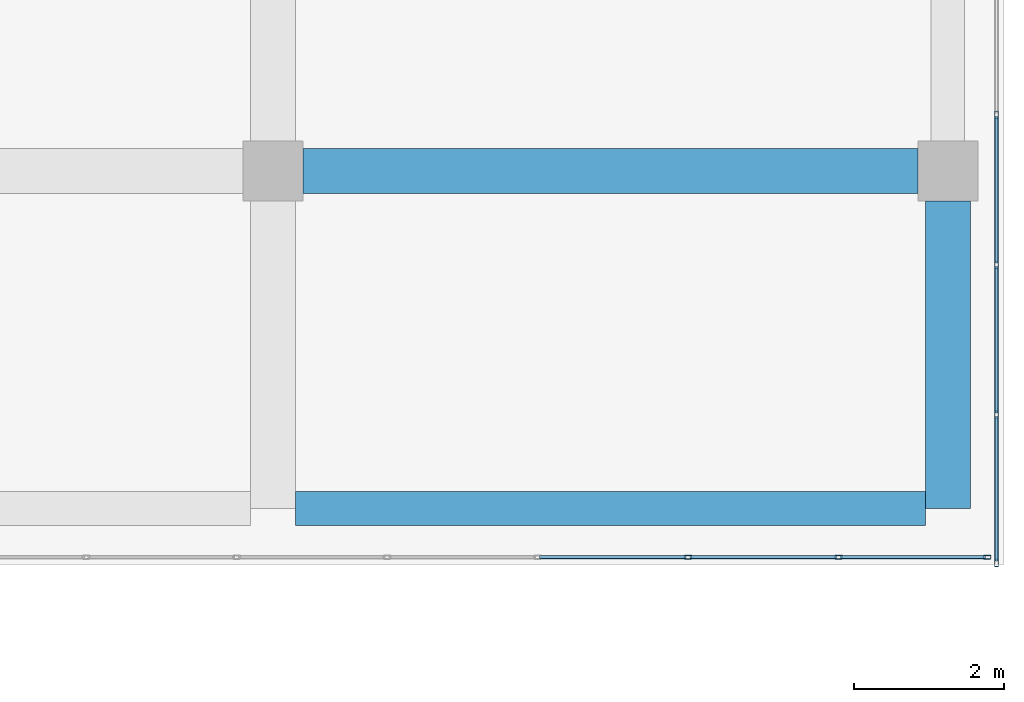
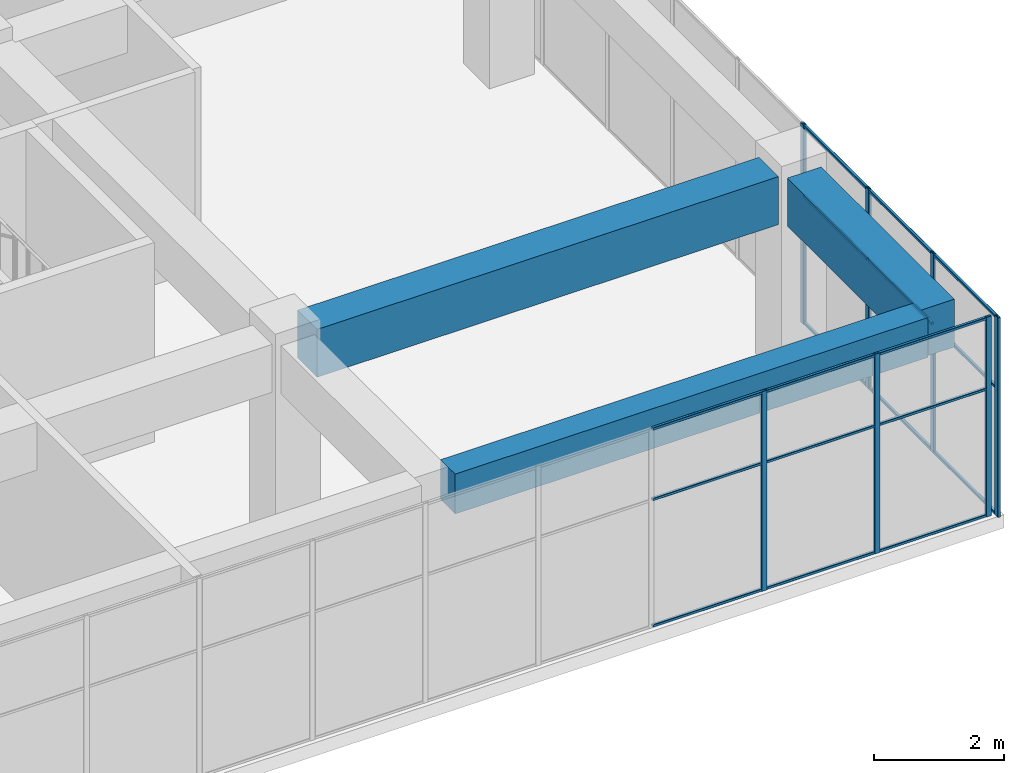
# One storey, part 38 of 65: 25 members, 3 beams, 2 elements without a shape of their own.
"""IFC4 building model written with IfcOpenShell, lengths in metres."""

from ifc_helpers import new_model, si_unit, direction, frame, origin, origin_2d, place, context, subcontext, project, spatial, rectangle, hollow_rectangle, extrude, material, layer, layer_set, material_profile, profile_set, type_object, element, aggregate, save


model = new_model("IFC4")

# Units and contexts
model_context = context("Model", 3, precision=1e-05, world=origin(), true_north=direction((0.0, 1.0)))
body_context = subcontext(model_context, "Body", "Model", "MODEL_VIEW")
ifc_project = project(units=[si_unit("LENGTHUNIT", "METRE"), si_unit("AREAUNIT", "SQUARE_METRE"), si_unit("VOLUMEUNIT", "CUBIC_METRE"), si_unit("PLANEANGLEUNIT", "RADIAN"), si_unit("MASSUNIT", "GRAM", prefix="KILO")], contexts=[model_context])

# Site, building, storey
site_placement = place(None, origin())
site = spatial("IfcSite", under=ifc_project, at=site_placement, CompositionType="ELEMENT")
building_placement = place(site_placement, origin())
building = spatial("IfcBuilding", under=site, at=building_placement, Name="Tuart Plaza Theatre", CompositionType="ELEMENT")
storey_placement = place(building_placement, frame((0.0, 0.0, 9.5)))
storey = spatial("IfcBuildingStorey", under=building, at=storey_placement, Name="L02", CompositionType="ELEMENT", Elevation=9.5)

# Beams
ifc_material_1 = material(Name="Concrete N40 (40 MPa)", Category="concrete")
ifc_material_profile_1 = material_profile(ifc_material_1, rectangle(XDim=0.449951171875, YDim=0.75, at=origin_2d()), Name="BEAM 450x750 Concrete N40 (40 MPa)")
ifc_profile_set_1 = profile_set([ifc_material_profile_1], Name="Concrete N40 (40 MPa)")
beam_type_1 = type_object("IfcBeamType", Name="BEAM 450x750 Concrete N40 (40 MPa)", PredefinedType="BEAM", material=ifc_profile_set_1)
beam_1_placement = place(storey_placement, frame((141.300048828125, 51.5, 3.375), z_axis=(1.0, 0.0, 0.0), x_axis=(0.0, 1.0, 0.0)))
element("IfcBeam", 1, at=beam_1_placement, inside=storey, type_object=beam_type_1, Name="RB189", PredefinedType="BEAM", context=body_context, shape_type="SweptSolid", body=[
    extrude(rectangle(XDim=0.449951171875, YDim=0.75, at=origin_2d()), origin(), (0.0, 0.0, 1.0), 8.39990234375),
])
ifc_material_2 = material(Name="Concrete N40 (40 MPa)", Category="concrete")
ifc_material_profile_2 = material_profile(ifc_material_2, rectangle(XDim=0.60009765625, YDim=0.89990234375, at=origin_2d()), Name="BEAM 600x900 Concrete N40 (40 MPa)")
ifc_profile_set_2 = profile_set([ifc_material_profile_2], Name="Concrete N40 (40 MPa)")
beam_type_2 = type_object("IfcBeamType", Name="BEAM 600x900 Concrete N40 (40 MPa)", PredefinedType="BEAM", material=ifc_profile_set_2)
beam_2_placement = place(storey_placement, frame((141.39990234375, 56.0, 3.300048828125), z_axis=(1.0, 0.0, 0.0), x_axis=(0.0, 1.0, 0.0)))
element("IfcBeam", 2, at=beam_2_placement, inside=storey, type_object=beam_type_2, Name="RB191", PredefinedType="BEAM", context=body_context, shape_type="SweptSolid", body=[
    extrude(rectangle(XDim=0.60009765625, YDim=0.89990234375, at=origin_2d()), origin(), (0.0, 0.0, 1.0), 8.2001953125),
])
beam_3_placement = place(storey_placement, frame((150.0, 51.5, 3.300048828125), z_axis=(0.0, 1.0, 0.0), x_axis=(-1.0, 0.0, 0.0)))
element("IfcBeam", 3, at=beam_3_placement, inside=storey, type_object=beam_type_2, Name="RB197", PredefinedType="BEAM", context=body_context, shape_type="SweptSolid", body=[
    extrude(rectangle(XDim=0.60009765625, YDim=0.89990234375, at=origin_2d()), origin(), (0.0, 0.0, 1.0), 4.10009765625),
])

# Curtain wall, members
ifc_material_3 = material(Name="Aluminium and glass", Category="aluminium")
ifc_layer = layer(ifc_material_3, 0.10009765625)
ifc_layer_set = layer_set([ifc_layer], Name="CURTAIN WALL 2000 module")
curtain_wall_type = type_object("IfcCurtainWallType", Name="CURTAIN WALL 2000 module", PredefinedType="NOTDEFINED", material=ifc_layer_set)
curtain_wall_1_placement = place(storey_placement, origin())
curtain_wall_1 = element("IfcCurtainWall", 4, at=curtain_wall_1_placement, inside=storey, type_object=curtain_wall_type, Name="CW68", PredefinedType="NOTDEFINED")
ifc_material_4 = material(Name="Aluminium 6063-T5", Category="aluminium")
ifc_material_profile_3 = material_profile(ifc_material_4, hollow_rectangle(XDim=0.050048828125, YDim=0.10009765625, WallThickness=0.00390625, InnerFilletRadius=0.00390625, OuterFilletRadius=0.008056640625, at=origin_2d()), Name="RHS 100x50x4")
ifc_profile_set_3 = profile_set([ifc_material_profile_3], Name="Aluminium 6063-T5")
member_type_1 = type_object("IfcMemberType", Name="MULLION RHS 100x50x4", PredefinedType="MULLION", material=ifc_profile_set_3)
member_1_placement = place(storey_placement, frame((146.53564453125, 50.85009765625, 0.0), z_axis=(0.0, 0.0, 1.0), x_axis=(0.0, 1.0, 0.0)))
member_1 = element("IfcMember", 5, at=member_1_placement, type_object=member_type_1, Name="CW68 mullion 13", PredefinedType="MULLION", context=body_context, shape_type="SweptSolid", body=[
    extrude(hollow_rectangle(XDim=0.050048828125, YDim=0.10009765625, WallThickness=0.00390625, InnerFilletRadius=0.00390625, OuterFilletRadius=0.008056640625, at=origin_2d()), origin(), (0.0, 0.0, 1.0), 3.75),
])
member_2_placement = place(storey_placement, frame((148.54296875, 50.85009765625, 0.0), z_axis=(0.0, 0.0, 1.0), x_axis=(0.0, 1.0, 0.0)))
member_2 = element("IfcMember", 6, at=member_2_placement, type_object=member_type_1, Name="CW68 mullion 14", PredefinedType="MULLION", context=body_context, shape_type="SweptSolid", body=[
    extrude(hollow_rectangle(XDim=0.050048828125, YDim=0.10009765625, WallThickness=0.00390625, InnerFilletRadius=0.00390625, OuterFilletRadius=0.008056640625, at=origin_2d()), origin(), (0.0, 0.0, 1.0), 3.75),
])
member_3_placement = place(storey_placement, frame((150.52490234375, 50.85009765625, 0.0), z_axis=(0.0, 0.0, 1.0), x_axis=(0.0, 1.0, 0.0)))
member_3 = element("IfcMember", 7, at=member_3_placement, type_object=member_type_1, Name="CW68 mullion 15", PredefinedType="MULLION", context=body_context, shape_type="SweptSolid", body=[
    extrude(hollow_rectangle(XDim=0.050048828125, YDim=0.10009765625, WallThickness=0.00390625, InnerFilletRadius=0.00390625, OuterFilletRadius=0.008056640625, at=origin_2d()), origin(), (0.0, 0.0, 1.0), 3.75),
])

curtain_wall_2_placement = place(storey_placement, origin())
curtain_wall_2 = element("IfcCurtainWall", 8, at=curtain_wall_2_placement, inside=storey, type_object=curtain_wall_type, Name="CW69", PredefinedType="NOTDEFINED")
member_4_placement = place(storey_placement, frame((150.64990234375, 50.77490234375, 0.0), z_axis=(0.0, 0.0, 1.0), x_axis=(-1.0, 0.0, 0.0)))
member_4 = element("IfcMember", 9, at=member_4_placement, type_object=member_type_1, Name="CW69 mullion 1", PredefinedType="MULLION", context=body_context, shape_type="SweptSolid", body=[
    extrude(hollow_rectangle(XDim=0.050048828125, YDim=0.10009765625, WallThickness=0.00390625, InnerFilletRadius=0.00390625, OuterFilletRadius=0.008056640625, at=origin_2d()), origin(), (0.0, 0.0, 1.0), 3.75),
])
member_5_placement = place(storey_placement, frame((150.64990234375, 52.75, 0.0), z_axis=(0.0, 0.0, 1.0), x_axis=(-1.0, 0.0, 0.0)))
member_5 = element("IfcMember", 10, at=member_5_placement, type_object=member_type_1, Name="CW69 mullion 2", PredefinedType="MULLION", context=body_context, shape_type="SweptSolid", body=[
    extrude(hollow_rectangle(XDim=0.050048828125, YDim=0.10009765625, WallThickness=0.00390625, InnerFilletRadius=0.00390625, OuterFilletRadius=0.008056640625, at=origin_2d()), origin(), (0.0, 0.0, 1.0), 3.75),
])
member_6_placement = place(storey_placement, frame((150.64990234375, 54.75, 0.0), z_axis=(0.0, 0.0, 1.0), x_axis=(-1.0, 0.0, 0.0)))
member_6 = element("IfcMember", 11, at=member_6_placement, type_object=member_type_1, Name="CW69 mullion 3", PredefinedType="MULLION", context=body_context, shape_type="SweptSolid", body=[
    extrude(hollow_rectangle(XDim=0.050048828125, YDim=0.10009765625, WallThickness=0.00390625, InnerFilletRadius=0.00390625, OuterFilletRadius=0.008056640625, at=origin_2d()), origin(), (0.0, 0.0, 1.0), 3.75),
])
member_7_placement = place(storey_placement, frame((150.64990234375, 56.75, 0.0), z_axis=(0.0, 0.0, 1.0), x_axis=(-1.0, 0.0, 0.0)))
member_7 = element("IfcMember", 12, at=member_7_placement, type_object=member_type_1, Name="CW69 mullion 4", PredefinedType="MULLION", context=body_context, shape_type="SweptSolid", body=[
    extrude(hollow_rectangle(XDim=0.050048828125, YDim=0.10009765625, WallThickness=0.00390625, InnerFilletRadius=0.00390625, OuterFilletRadius=0.008056640625, at=origin_2d()), origin(), (0.0, 0.0, 1.0), 3.75),
])

# Member
ifc_material_5 = material(Name="Aluminium 6063-T5", Category="aluminium")
ifc_material_profile_4 = material_profile(ifc_material_5, hollow_rectangle(XDim=0.050048828125, YDim=0.050048828125, WallThickness=0.00390625, InnerFilletRadius=0.00390625, OuterFilletRadius=0.008056640625, at=origin_2d()), Name="RHS 50x50x4")
ifc_profile_set_4 = profile_set([ifc_material_profile_4], Name="Aluminium 6063-T5")
member_type_2 = type_object("IfcMemberType", Name="TRANSOM RHS 50x50x4", PredefinedType="USERDEFINED", material=ifc_profile_set_4)
member_8_placement = place(storey_placement, frame((144.553466796875, 50.85009765625, 0.02490234375), z_axis=(1.0, 0.0, 0.0), x_axis=(0.0, 1.0, 0.0)))
member_8 = element("IfcMember", 13, at=member_8_placement, type_object=member_type_2, Name="CW68 transom 12.1", ObjectType="TRANSOM", PredefinedType="USERDEFINED", context=body_context, shape_type="SweptSolid", body=[
    extrude(hollow_rectangle(XDim=0.050048828125, YDim=0.050048828125, WallThickness=0.00390625, InnerFilletRadius=0.00390625, OuterFilletRadius=0.008056640625, at=origin_2d()), origin(), (0.0, 0.0, 1.0), 1.957275390625),
])

member_9_placement = place(storey_placement, frame((144.553466796875, 50.85009765625, 2.39990234375), z_axis=(1.0, 0.0, 0.0), x_axis=(0.0, 1.0, 0.0)))
member_9 = element("IfcMember", 14, at=member_9_placement, type_object=member_type_2, Name="CW68 transom 12.2", ObjectType="TRANSOM", PredefinedType="USERDEFINED", context=body_context, shape_type="SweptSolid", body=[
    extrude(hollow_rectangle(XDim=0.050048828125, YDim=0.050048828125, WallThickness=0.00390625, InnerFilletRadius=0.00390625, OuterFilletRadius=0.008056640625, at=origin_2d()), origin(), (0.0, 0.0, 1.0), 1.957275390625),
])

member_10_placement = place(storey_placement, frame((144.553466796875, 50.85009765625, 3.72509765625), z_axis=(1.0, 0.0, 0.0), x_axis=(0.0, 1.0, 0.0)))
member_10 = element("IfcMember", 15, at=member_10_placement, type_object=member_type_2, Name="CW68 transom 12.3", ObjectType="TRANSOM", PredefinedType="USERDEFINED", context=body_context, shape_type="SweptSolid", body=[
    extrude(hollow_rectangle(XDim=0.050048828125, YDim=0.050048828125, WallThickness=0.00390625, InnerFilletRadius=0.00390625, OuterFilletRadius=0.008056640625, at=origin_2d()), origin(), (0.0, 0.0, 1.0), 1.957275390625),
])

member_11_placement = place(storey_placement, frame((146.560791015625, 50.85009765625, 0.02490234375), z_axis=(1.0, 0.0, 0.0), x_axis=(0.0, 1.0, 0.0)))
member_11 = element("IfcMember", 16, at=member_11_placement, type_object=member_type_2, Name="CW68 transom 13.1", ObjectType="TRANSOM", PredefinedType="USERDEFINED", context=body_context, shape_type="SweptSolid", body=[
    extrude(hollow_rectangle(XDim=0.050048828125, YDim=0.050048828125, WallThickness=0.00390625, InnerFilletRadius=0.00390625, OuterFilletRadius=0.008056640625, at=origin_2d()), origin(), (0.0, 0.0, 1.0), 1.95703125),
])

member_12_placement = place(storey_placement, frame((146.560791015625, 50.85009765625, 2.39990234375), z_axis=(1.0, 0.0, 0.0), x_axis=(0.0, 1.0, 0.0)))
member_12 = element("IfcMember", 17, at=member_12_placement, type_object=member_type_2, Name="CW68 transom 13.2", ObjectType="TRANSOM", PredefinedType="USERDEFINED", context=body_context, shape_type="SweptSolid", body=[
    extrude(hollow_rectangle(XDim=0.050048828125, YDim=0.050048828125, WallThickness=0.00390625, InnerFilletRadius=0.00390625, OuterFilletRadius=0.008056640625, at=origin_2d()), origin(), (0.0, 0.0, 1.0), 1.95703125),
])

member_13_placement = place(storey_placement, frame((146.560791015625, 50.85009765625, 3.72509765625), z_axis=(1.0, 0.0, 0.0), x_axis=(0.0, 1.0, 0.0)))
member_13 = element("IfcMember", 18, at=member_13_placement, type_object=member_type_2, Name="CW68 transom 13.3", ObjectType="TRANSOM", PredefinedType="USERDEFINED", context=body_context, shape_type="SweptSolid", body=[
    extrude(hollow_rectangle(XDim=0.050048828125, YDim=0.050048828125, WallThickness=0.00390625, InnerFilletRadius=0.00390625, OuterFilletRadius=0.008056640625, at=origin_2d()), origin(), (0.0, 0.0, 1.0), 1.95703125),
])

member_14_placement = place(storey_placement, frame((148.56787109375, 50.85009765625, 0.02490234375), z_axis=(1.0, 0.0, 0.0), x_axis=(0.0, 1.0, 0.0)))
member_14 = element("IfcMember", 19, at=member_14_placement, type_object=member_type_2, Name="CW68 transom 14.1", ObjectType="TRANSOM", PredefinedType="USERDEFINED", context=body_context, shape_type="SweptSolid", body=[
    extrude(hollow_rectangle(XDim=0.050048828125, YDim=0.050048828125, WallThickness=0.00390625, InnerFilletRadius=0.00390625, OuterFilletRadius=0.008056640625, at=origin_2d()), origin(), (0.0, 0.0, 1.0), 1.93212890625),
])

member_15_placement = place(storey_placement, frame((148.56787109375, 50.85009765625, 2.39990234375), z_axis=(1.0, 0.0, 0.0), x_axis=(0.0, 1.0, 0.0)))
member_15 = element("IfcMember", 20, at=member_15_placement, type_object=member_type_2, Name="CW68 transom 14.2", ObjectType="TRANSOM", PredefinedType="USERDEFINED", context=body_context, shape_type="SweptSolid", body=[
    extrude(hollow_rectangle(XDim=0.050048828125, YDim=0.050048828125, WallThickness=0.00390625, InnerFilletRadius=0.00390625, OuterFilletRadius=0.008056640625, at=origin_2d()), origin(), (0.0, 0.0, 1.0), 1.93212890625),
])

member_16_placement = place(storey_placement, frame((148.56787109375, 50.85009765625, 3.72509765625), z_axis=(1.0, 0.0, 0.0), x_axis=(0.0, 1.0, 0.0)))
member_16 = element("IfcMember", 21, at=member_16_placement, type_object=member_type_2, Name="CW68 transom 14.3", ObjectType="TRANSOM", PredefinedType="USERDEFINED", context=body_context, shape_type="SweptSolid", body=[
    extrude(hollow_rectangle(XDim=0.050048828125, YDim=0.050048828125, WallThickness=0.00390625, InnerFilletRadius=0.00390625, OuterFilletRadius=0.008056640625, at=origin_2d()), origin(), (0.0, 0.0, 1.0), 1.93212890625),
])

aggregate(curtain_wall_1, [member_1, member_2, member_3, member_8, member_9, member_10, member_11, member_12, member_13, member_14, member_15, member_16])

member_17_placement = place(storey_placement, frame((150.64990234375, 50.800048828125, 0.02490234375), z_axis=(0.0, 1.0, 0.0), x_axis=(-1.0, 0.0, 0.0)))
member_17 = element("IfcMember", 22, at=member_17_placement, type_object=member_type_2, Name="CW69 transom 1.1", ObjectType="TRANSOM", PredefinedType="USERDEFINED", context=body_context, shape_type="SweptSolid", body=[
    extrude(hollow_rectangle(XDim=0.050048828125, YDim=0.050048828125, WallThickness=0.00390625, InnerFilletRadius=0.00390625, OuterFilletRadius=0.008056640625, at=origin_2d()), origin(), (0.0, 0.0, 1.0), 1.925048828125),
])

member_18_placement = place(storey_placement, frame((150.64990234375, 50.800048828125, 2.39990234375), z_axis=(0.0, 1.0, 0.0), x_axis=(-1.0, 0.0, 0.0)))
member_18 = element("IfcMember", 23, at=member_18_placement, type_object=member_type_2, Name="CW69 transom 1.2", ObjectType="TRANSOM", PredefinedType="USERDEFINED", context=body_context, shape_type="SweptSolid", body=[
    extrude(hollow_rectangle(XDim=0.050048828125, YDim=0.050048828125, WallThickness=0.00390625, InnerFilletRadius=0.00390625, OuterFilletRadius=0.008056640625, at=origin_2d()), origin(), (0.0, 0.0, 1.0), 1.925048828125),
])

member_19_placement = place(storey_placement, frame((150.64990234375, 50.800048828125, 3.72509765625), z_axis=(0.0, 1.0, 0.0), x_axis=(-1.0, 0.0, 0.0)))
member_19 = element("IfcMember", 24, at=member_19_placement, type_object=member_type_2, Name="CW69 transom 1.3", ObjectType="TRANSOM", PredefinedType="USERDEFINED", context=body_context, shape_type="SweptSolid", body=[
    extrude(hollow_rectangle(XDim=0.050048828125, YDim=0.050048828125, WallThickness=0.00390625, InnerFilletRadius=0.00390625, OuterFilletRadius=0.008056640625, at=origin_2d()), origin(), (0.0, 0.0, 1.0), 1.925048828125),
])

member_20_placement = place(storey_placement, frame((150.64990234375, 52.77490234375, 0.02490234375), z_axis=(0.0, 1.0, 0.0), x_axis=(-1.0, 0.0, 0.0)))
member_20 = element("IfcMember", 25, at=member_20_placement, type_object=member_type_2, Name="CW69 transom 2.1", ObjectType="TRANSOM", PredefinedType="USERDEFINED", context=body_context, shape_type="SweptSolid", body=[
    extrude(hollow_rectangle(XDim=0.050048828125, YDim=0.050048828125, WallThickness=0.00390625, InnerFilletRadius=0.00390625, OuterFilletRadius=0.008056640625, at=origin_2d()), origin(), (0.0, 0.0, 1.0), 1.9501953125),
])

member_21_placement = place(storey_placement, frame((150.64990234375, 52.77490234375, 2.39990234375), z_axis=(0.0, 1.0, 0.0), x_axis=(-1.0, 0.0, 0.0)))
member_21 = element("IfcMember", 26, at=member_21_placement, type_object=member_type_2, Name="CW69 transom 2.2", ObjectType="TRANSOM", PredefinedType="USERDEFINED", context=body_context, shape_type="SweptSolid", body=[
    extrude(hollow_rectangle(XDim=0.050048828125, YDim=0.050048828125, WallThickness=0.00390625, InnerFilletRadius=0.00390625, OuterFilletRadius=0.008056640625, at=origin_2d()), origin(), (0.0, 0.0, 1.0), 1.9501953125),
])

member_22_placement = place(storey_placement, frame((150.64990234375, 52.77490234375, 3.72509765625), z_axis=(0.0, 1.0, 0.0), x_axis=(-1.0, 0.0, 0.0)))
member_22 = element("IfcMember", 27, at=member_22_placement, type_object=member_type_2, Name="CW69 transom 2.3", ObjectType="TRANSOM", PredefinedType="USERDEFINED", context=body_context, shape_type="SweptSolid", body=[
    extrude(hollow_rectangle(XDim=0.050048828125, YDim=0.050048828125, WallThickness=0.00390625, InnerFilletRadius=0.00390625, OuterFilletRadius=0.008056640625, at=origin_2d()), origin(), (0.0, 0.0, 1.0), 1.9501953125),
])

member_23_placement = place(storey_placement, frame((150.64990234375, 54.77490234375, 0.02490234375), z_axis=(0.0, 1.0, 0.0), x_axis=(-1.0, 0.0, 0.0)))
member_23 = element("IfcMember", 28, at=member_23_placement, type_object=member_type_2, Name="CW69 transom 3.1", ObjectType="TRANSOM", PredefinedType="USERDEFINED", context=body_context, shape_type="SweptSolid", body=[
    extrude(hollow_rectangle(XDim=0.050048828125, YDim=0.050048828125, WallThickness=0.00390625, InnerFilletRadius=0.00390625, OuterFilletRadius=0.008056640625, at=origin_2d()), origin(), (0.0, 0.0, 1.0), 1.9501953125),
])

member_24_placement = place(storey_placement, frame((150.64990234375, 54.77490234375, 2.39990234375), z_axis=(0.0, 1.0, 0.0), x_axis=(-1.0, 0.0, 0.0)))
member_24 = element("IfcMember", 29, at=member_24_placement, type_object=member_type_2, Name="CW69 transom 3.2", ObjectType="TRANSOM", PredefinedType="USERDEFINED", context=body_context, shape_type="SweptSolid", body=[
    extrude(hollow_rectangle(XDim=0.050048828125, YDim=0.050048828125, WallThickness=0.00390625, InnerFilletRadius=0.00390625, OuterFilletRadius=0.008056640625, at=origin_2d()), origin(), (0.0, 0.0, 1.0), 1.9501953125),
])

member_25_placement = place(storey_placement, frame((150.64990234375, 54.77490234375, 3.72509765625), z_axis=(0.0, 1.0, 0.0), x_axis=(-1.0, 0.0, 0.0)))
member_25 = element("IfcMember", 30, at=member_25_placement, type_object=member_type_2, Name="CW69 transom 3.3", ObjectType="TRANSOM", PredefinedType="USERDEFINED", context=body_context, shape_type="SweptSolid", body=[
    extrude(hollow_rectangle(XDim=0.050048828125, YDim=0.050048828125, WallThickness=0.00390625, InnerFilletRadius=0.00390625, OuterFilletRadius=0.008056640625, at=origin_2d()), origin(), (0.0, 0.0, 1.0), 1.9501953125),
])

aggregate(curtain_wall_2, [member_4, member_5, member_6, member_7, member_17, member_18, member_19, member_20, member_21, member_22, member_23, member_24, member_25])

save(model, "model.ifc")
